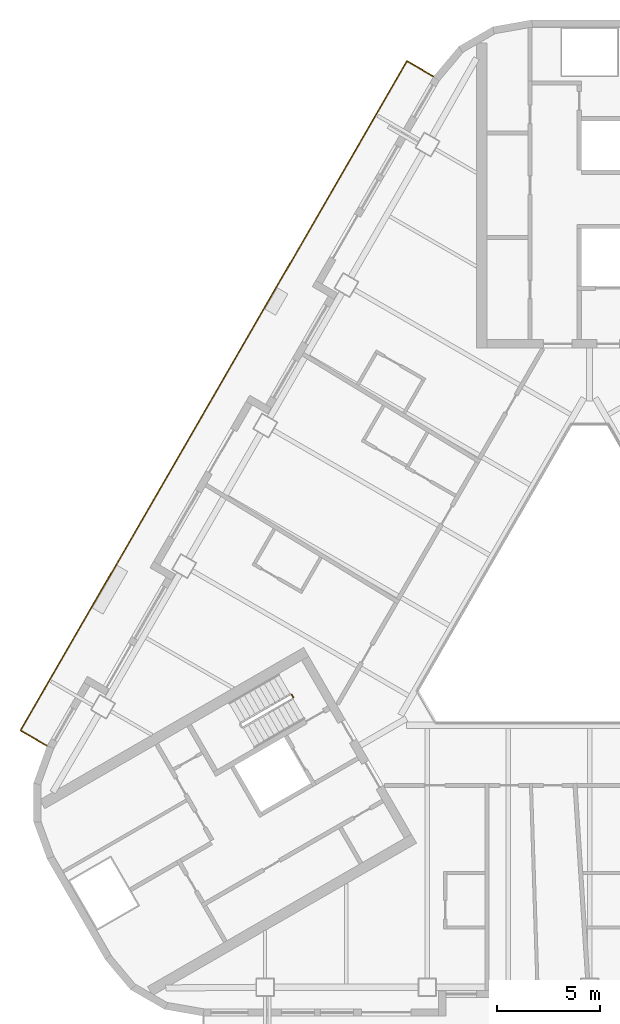
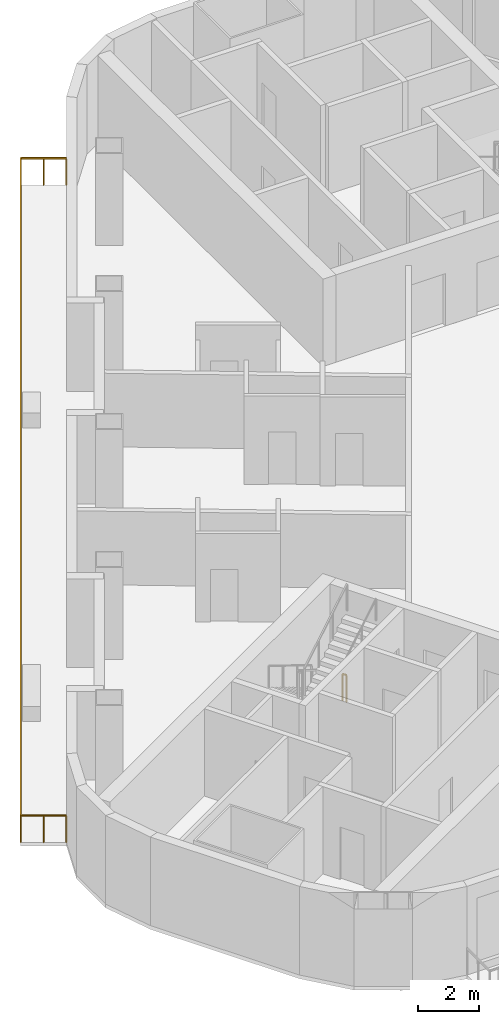
# One storey, part 10 of 13: 2 railings.
"""IFC4 building model written with IfcOpenShell, lengths in metres."""

from ifc_helpers import new_model, si_unit, direction, frame, origin, origin_2d, place, context, subcontext, project, spatial, rectangle, extrude, material, type_object, element, save


model = new_model("IFC4")

# Units and contexts
model_context = context("Model", 3, precision=1e-05, world=origin(), true_north=direction((0.0, 1.0)))
body_context = subcontext(model_context, "Body", "Model", "MODEL_VIEW")
ifc_project = project(units=[si_unit("LENGTHUNIT", "METRE"), si_unit("AREAUNIT", "SQUARE_METRE"), si_unit("VOLUMEUNIT", "CUBIC_METRE"), si_unit("PLANEANGLEUNIT", "RADIAN"), si_unit("MASSUNIT", "GRAM", prefix="KILO")], contexts=[model_context])

# Site, building, storey
site_placement = place(None, origin())
site = spatial("IfcSite", under=ifc_project, at=site_placement, CompositionType="ELEMENT")
building_placement = place(site_placement, origin())
building = spatial("IfcBuilding", under=site, at=building_placement, Name="Apuvela Tower Hotel", CompositionType="ELEMENT")
storey_placement = place(building_placement, frame((0.0, 0.0, 102.0)))
storey = spatial("IfcBuildingStorey", under=building, at=storey_placement, Name="L23", CompositionType="ELEMENT", Elevation=102.0)

# Railings
ifc_material_1 = material(Name="Steel S275 balustrade", Category="steel")
railing_type_1 = type_object("IfcRailingType", Name="COR-GUARD-1100", PredefinedType="GUARDRAIL", material=ifc_material_1)
railing_1_placement = place(storey_placement, frame((-14.500732421875, -3.984130859375, 0.0)))
element("IfcRailing", 1, at=railing_1_placement, inside=storey, type_object=railing_type_1, Name="L23 ST2 stair guard 4", PredefinedType="GUARDRAIL", context=body_context, shape_type="SweptSolid", body=[
    extrude(rectangle(XDim=0.048095703125, YDim=0.048095703125, at=origin_2d()), frame((0.0, 0.0, 1.076171875), z_axis=(0.499816412211, -0.866131372301, 0.0), x_axis=(0.866131372301, 0.499816412211, 0.0)), (0.0, 0.0, 1.0), 0.14990234375),
    extrude(rectangle(XDim=0.0419921875, YDim=0.0419921875, at=origin_2d()), origin(), (0.0, 0.0, 1.0), 1.052001953125),
    extrude(rectangle(XDim=0.0419921875, YDim=0.0419921875, at=origin_2d()), frame((0.074951171875, -0.1298828125, 0.0)), (0.0, 0.0, 1.0), 1.052001953125),
])
ifc_material_2 = material(Name="Stainless steel 316 rail with laminated glass infill", Category="steel")
railing_type_2 = type_object("IfcRailingType", Name="ENV-GUARD-1100", PredefinedType="GUARDRAIL", material=ifc_material_2)
railing_2_placement = place(storey_placement, frame((-7.59228515625, 26.110107421875, 0.0)))
element("IfcRailing", 2, at=railing_2_placement, inside=storey, type_object=railing_type_2, Name="Balcony guard NW L23", PredefinedType="GUARDRAIL", context=body_context, shape_type="SweptSolid", body=[
    extrude(rectangle(XDim=0.050048828125, YDim=0.050048828125, at=origin_2d()), frame((0.0, 0.0, 1.0751953125), z_axis=(-0.86599040064, 0.500060622324, 0.0), x_axis=(-0.500060622324, -0.86599040064, 0.0)), (0.0, 0.0, 1.0), 1.499755859375),
    extrude(rectangle(XDim=0.050048828125, YDim=0.050048828125, at=origin_2d()), frame((-1.298828125, 0.75, 1.0751953125), z_axis=(-0.500000437506, -0.86602515119, 0.0), x_axis=(0.86602515119, -0.500000437506, 0.0)), (0.0, 0.0, 1.0), 37.6318359375),
    extrude(rectangle(XDim=0.050048828125, YDim=0.050048828125, at=origin_2d()), frame((-20.11474609375, -31.840087890625, 1.0751953125), z_axis=(0.866031096941, -0.499990139034, 0.0), x_axis=(0.499990139034, 0.866031096941, 0.0)), (0.0, 0.0, 1.0), 1.5),
    extrude(rectangle(XDim=0.0400390625, YDim=0.0400390625, at=origin_2d()), origin(), (0.0, 0.0, 1.0), 1.050048828125),
    extrude(rectangle(XDim=0.0400390625, YDim=0.0400390625, at=origin_2d()), frame((-0.6494140625, 0.375, 0.0)), (0.0, 0.0, 1.0), 1.050048828125),
    extrude(rectangle(XDim=0.0400390625, YDim=0.0400390625, at=origin_2d()), frame((-1.298828125, 0.75, 0.0)), (0.0, 0.0, 1.0), 1.050048828125),
    extrude(rectangle(XDim=0.0400390625, YDim=0.0400390625, at=origin_2d()), frame((-1.88671875, -0.2685546875, 0.0)), (0.0, 0.0, 1.0), 1.050048828125),
    extrude(rectangle(XDim=0.0400390625, YDim=0.0400390625, at=origin_2d()), frame((-2.474853515625, -1.286865234375, 0.0)), (0.0, 0.0, 1.0), 1.050048828125),
    extrude(rectangle(XDim=0.0400390625, YDim=0.0400390625, at=origin_2d()), frame((-3.062744140625, -2.305419921875, 0.0)), (0.0, 0.0, 1.0), 1.050048828125),
    extrude(rectangle(XDim=0.0400390625, YDim=0.0400390625, at=origin_2d()), frame((-3.65087890625, -3.32373046875, 0.0)), (0.0, 0.0, 1.0), 1.050048828125),
    extrude(rectangle(XDim=0.0400390625, YDim=0.0400390625, at=origin_2d()), frame((-4.23876953125, -4.34228515625, 0.0)), (0.0, 0.0, 1.0), 1.050048828125),
    extrude(rectangle(XDim=0.0400390625, YDim=0.0400390625, at=origin_2d()), frame((-4.826904296875, -5.360595703125, 0.0)), (0.0, 0.0, 1.0), 1.050048828125),
    extrude(rectangle(XDim=0.0400390625, YDim=0.0400390625, at=origin_2d()), frame((-5.414794921875, -6.379150390625, 0.0)), (0.0, 0.0, 1.0), 1.050048828125),
    extrude(rectangle(XDim=0.0400390625, YDim=0.0400390625, at=origin_2d()), frame((-6.0029296875, -7.3974609375, 0.0)), (0.0, 0.0, 1.0), 1.050048828125),
    extrude(rectangle(XDim=0.0400390625, YDim=0.0400390625, at=origin_2d()), frame((-6.5908203125, -8.416015625, 0.0)), (0.0, 0.0, 1.0), 1.050048828125),
    extrude(rectangle(XDim=0.0400390625, YDim=0.0400390625, at=origin_2d()), frame((-7.1787109375, -9.434326171875, 0.0)), (0.0, 0.0, 1.0), 1.050048828125),
    extrude(rectangle(XDim=0.0400390625, YDim=0.0400390625, at=origin_2d()), frame((-7.766845703125, -10.452880859375, 0.0)), (0.0, 0.0, 1.0), 1.050048828125),
    extrude(rectangle(XDim=0.0400390625, YDim=0.0400390625, at=origin_2d()), frame((-8.354736328125, -11.47119140625, 0.0)), (0.0, 0.0, 1.0), 1.050048828125),
    extrude(rectangle(XDim=0.0400390625, YDim=0.0400390625, at=origin_2d()), frame((-8.94287109375, -12.48974609375, 0.0)), (0.0, 0.0, 1.0), 1.050048828125),
    extrude(rectangle(XDim=0.0400390625, YDim=0.0400390625, at=origin_2d()), frame((-9.53076171875, -13.508056640625, 0.0)), (0.0, 0.0, 1.0), 1.050048828125),
    extrude(rectangle(XDim=0.0400390625, YDim=0.0400390625, at=origin_2d()), frame((-10.118896484375, -14.526611328125, 0.0)), (0.0, 0.0, 1.0), 1.050048828125),
    extrude(rectangle(XDim=0.0400390625, YDim=0.0400390625, at=origin_2d()), frame((-10.706787109375, -15.544921875, 0.0)), (0.0, 0.0, 1.0), 1.050048828125),
    extrude(rectangle(XDim=0.0400390625, YDim=0.0400390625, at=origin_2d()), frame((-11.294677734375, -16.5634765625, 0.0)), (0.0, 0.0, 1.0), 1.050048828125),
    extrude(rectangle(XDim=0.0400390625, YDim=0.0400390625, at=origin_2d()), frame((-11.8828125, -17.58203125, 0.0)), (0.0, 0.0, 1.0), 1.050048828125),
    extrude(rectangle(XDim=0.0400390625, YDim=0.0400390625, at=origin_2d()), frame((-12.470703125, -18.600341796875, 0.0)), (0.0, 0.0, 1.0), 1.050048828125),
    extrude(rectangle(XDim=0.0400390625, YDim=0.0400390625, at=origin_2d()), frame((-13.058837890625, -19.618896484375, 0.0)), (0.0, 0.0, 1.0), 1.050048828125),
    extrude(rectangle(XDim=0.0400390625, YDim=0.0400390625, at=origin_2d()), frame((-13.646728515625, -20.63720703125, 0.0)), (0.0, 0.0, 1.0), 1.050048828125),
    extrude(rectangle(XDim=0.0400390625, YDim=0.0400390625, at=origin_2d()), frame((-14.23486328125, -21.65576171875, 0.0)), (0.0, 0.0, 1.0), 1.050048828125),
    extrude(rectangle(XDim=0.0400390625, YDim=0.0400390625, at=origin_2d()), frame((-14.82275390625, -22.674072265625, 0.0)), (0.0, 0.0, 1.0), 1.050048828125),
    extrude(rectangle(XDim=0.0400390625, YDim=0.0400390625, at=origin_2d()), frame((-15.41064453125, -23.692626953125, 0.0)), (0.0, 0.0, 1.0), 1.050048828125),
    extrude(rectangle(XDim=0.0400390625, YDim=0.0400390625, at=origin_2d()), frame((-15.998779296875, -24.7109375, 0.0)), (0.0, 0.0, 1.0), 1.050048828125),
    extrude(rectangle(XDim=0.0400390625, YDim=0.0400390625, at=origin_2d()), frame((-16.586669921875, -25.7294921875, 0.0)), (0.0, 0.0, 1.0), 1.050048828125),
    extrude(rectangle(XDim=0.0400390625, YDim=0.0400390625, at=origin_2d()), frame((-17.1748046875, -26.747802734375, 0.0)), (0.0, 0.0, 1.0), 1.050048828125),
    extrude(rectangle(XDim=0.0400390625, YDim=0.0400390625, at=origin_2d()), frame((-17.7626953125, -27.766357421875, 0.0)), (0.0, 0.0, 1.0), 1.050048828125),
    extrude(rectangle(XDim=0.0400390625, YDim=0.0400390625, at=origin_2d()), frame((-18.350830078125, -28.78466796875, 0.0)), (0.0, 0.0, 1.0), 1.050048828125),
    extrude(rectangle(XDim=0.0400390625, YDim=0.0400390625, at=origin_2d()), frame((-18.938720703125, -29.80322265625, 0.0)), (0.0, 0.0, 1.0), 1.050048828125),
    extrude(rectangle(XDim=0.0400390625, YDim=0.0400390625, at=origin_2d()), frame((-19.52685546875, -30.821533203125, 0.0)), (0.0, 0.0, 1.0), 1.050048828125),
    extrude(rectangle(XDim=0.0400390625, YDim=0.0400390625, at=origin_2d()), frame((-20.11474609375, -31.840087890625, 0.0)), (0.0, 0.0, 1.0), 1.050048828125),
    extrude(rectangle(XDim=0.0400390625, YDim=0.0400390625, at=origin_2d()), frame((-19.46533203125, -32.215087890625, 0.0)), (0.0, 0.0, 1.0), 1.050048828125),
    extrude(rectangle(XDim=0.0400390625, YDim=0.0400390625, at=origin_2d()), frame((-18.815673828125, -32.590087890625, 0.0)), (0.0, 0.0, 1.0), 1.050048828125),
])

save(model, "model.ifc")
